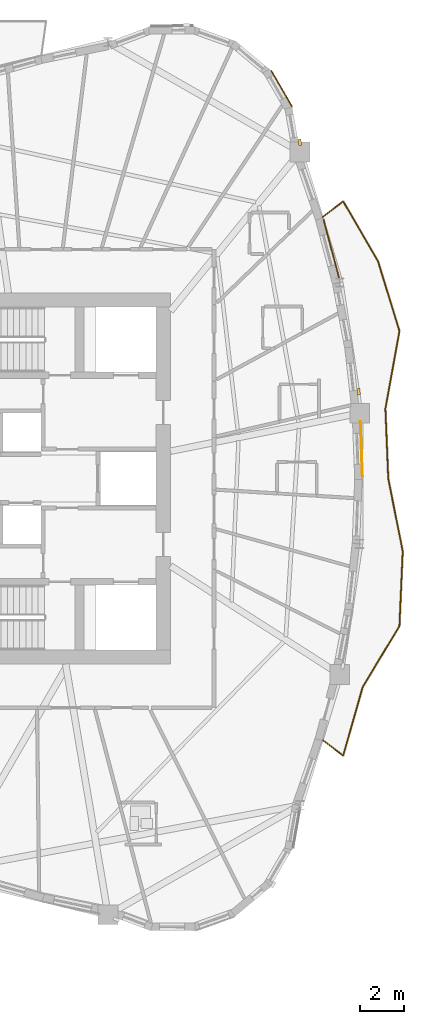
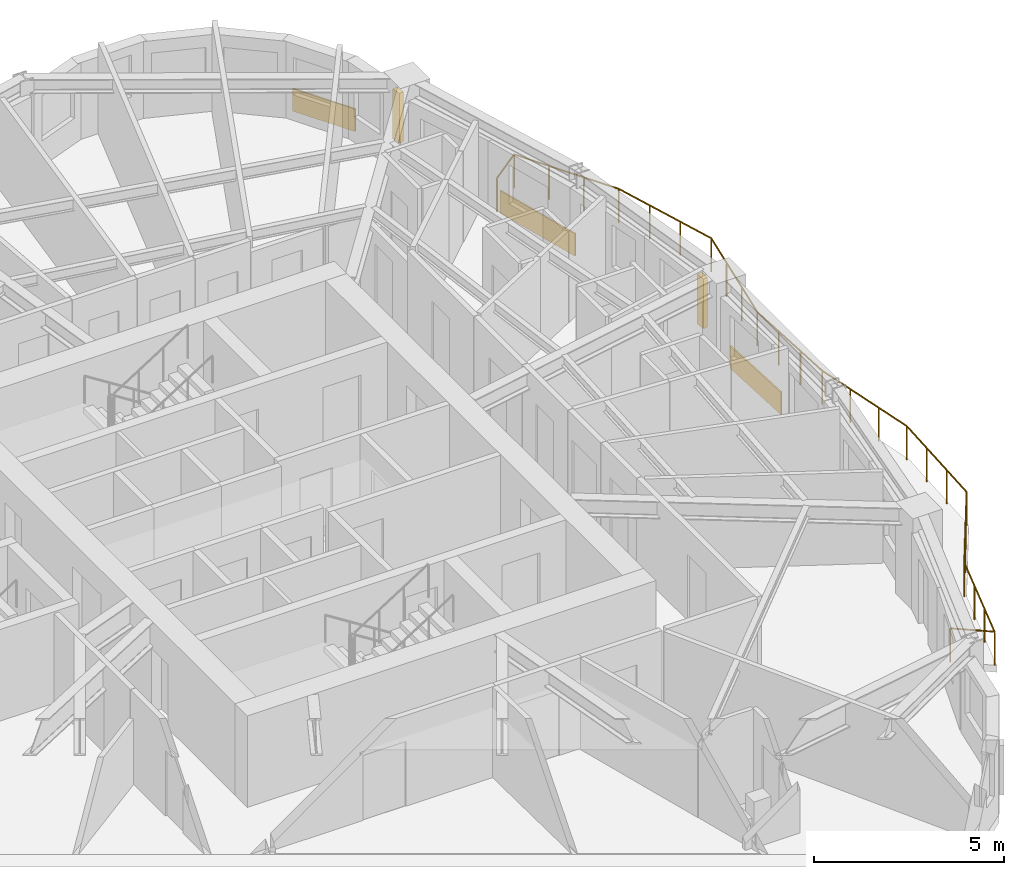
# One storey, part 16 of 17: 3 coverings, 2 shading devices, 1 railing.
"""IFC4 building model written with IfcOpenShell, lengths in metres."""

from ifc_helpers import new_model, si_unit, direction, frame, origin, origin_2d, place, context, subcontext, project, spatial, rectangle, circle, extrude, source, transform, mapped, material, layer, layer_set, type_object, element, save


model = new_model("IFC4")

# Units and contexts
model_context = context("Model", 3, precision=1e-05, world=origin(), true_north=direction((0.0, 1.0)))
body_context = subcontext(model_context, "Body", "Model", "MODEL_VIEW")
ifc_project = project(units=[si_unit("LENGTHUNIT", "METRE"), si_unit("AREAUNIT", "SQUARE_METRE"), si_unit("VOLUMEUNIT", "CUBIC_METRE"), si_unit("PLANEANGLEUNIT", "RADIAN"), si_unit("MASSUNIT", "GRAM", prefix="KILO")], contexts=[model_context])

# Site, building, storey
site_placement = place(None, origin())
site = spatial("IfcSite", under=ifc_project, at=site_placement, CompositionType="ELEMENT")
building_placement = place(site_placement, origin())
building = spatial("IfcBuilding", under=site, at=building_placement, Name="Qafzar Sky-Pleat Residences", CompositionType="ELEMENT")
storey_placement = place(building_placement, frame((0.0, 0.0, 112.0)))
storey = spatial("IfcBuildingStorey", under=building, at=storey_placement, Name="L33", CompositionType="ELEMENT", Elevation=112.0)

# Shading devices
ifc_material_1 = material(Name="Honed Riyadh limestone solar fin", Category="masonry")
ifc_layer_1 = layer(ifc_material_1, 0.139892578125)
ifc_layer_set_1 = layer_set([ifc_layer_1], Name="Honed Riyadh limestone solar fin")
shading_device_type = type_object("IfcShadingDeviceType", Name="SHD-FIN-STONE", PredefinedType="SHUTTER", material=ifc_layer_set_1)
shared_shape_1 = source(origin(), body_context, "Body", "SweptSolid", [
    extrude(rectangle(XDim=0.139892578125, YDim=0.280029296875, at=origin_2d()), origin(), (0.0, 0.0, 1.0), 1.60009765625),
])
for number, where, z_axis, x_axis, name in (
    (1, (45.1171875, 29.951904296875, 0.599853515625), (0.0, 0.0, 1.0), (0.993563207002, 0.113279096445, 0.0), "L33 Limestone Solar Fin 29"),
    (2, (42.439453125, 41.3076171875, 0.599853515625), (0.0, 0.0, 1.0), (0.984675881773, 0.174394403163, 0.0), "L33 Limestone Solar Fin 33"),
):
    element("IfcShadingDevice", number, at=place(storey_placement, frame(where, z_axis=z_axis, x_axis=x_axis)), inside=storey, type_object=shading_device_type, Name=name, PredefinedType="SHUTTER", context=body_context, shape_type="MappedRepresentation", body=[
        mapped(shared_shape_1, transform((0.0, 0.0, 0.0), x_axis=(1.0, 0.0, 0.0), y_axis=(0.0, 1.0, 0.0), z_axis=(0.0, 0.0, 1.0), scale=1.0)),
    ])

# Covering
ifc_material_2 = material(Name="Honed Riyadh Tuwaiq limestone cladding", Category="masonry")
ifc_layer_2 = layer(ifc_material_2, 0.044921875)
ifc_layer_set_2 = layer_set([ifc_layer_2], Name="Honed Riyadh Tuwaiq limestone cladding")
covering_type = type_object("IfcCoveringType", Name="COV-CLAD-STONE", PredefinedType="CLADDING", material=ifc_layer_set_2)
shared_shape_2 = source(origin(), body_context, "Body", "SweptSolid", [
    extrude(rectangle(XDim=1.88916015625, YDim=0.044921875, at=origin_2d()), origin(), (0.0, 0.0, 1.0), 0.719970703125),
])
covering_1_placement = place(storey_placement, frame((41.6083984375, 43.75341796875, 0.02001953125), z_axis=(0.0, 0.0, 1.0), x_axis=(-0.50197689344, 0.864881031387, 0.0)))
element("IfcCovering", 3, at=covering_1_placement, inside=storey, type_object=covering_type, Name="L33 Riyadh Limestone Spandrel Cladding 34", PredefinedType="CLADDING", context=body_context, shape_type="MappedRepresentation", body=[
    mapped(shared_shape_2, transform((0.0, 0.0, 0.0), x_axis=(1.0, 0.0, 0.0), y_axis=(0.0, 1.0, 0.0), z_axis=(0.0, 0.0, 1.0), scale=1.0)),
])

# Railing
ifc_material_3 = material(Name="Laminated glass and bronze steel balustrade", Category="steel")
railing_type = type_object("IfcRailingType", Name="RAIL-BAL-1100", PredefinedType="BALUSTRADE", material=ifc_material_3)
shared_shape_3 = source(origin(), body_context, "Body", "SweptSolid", [
    extrude(circle(Radius=0.02392578125, at=origin_2d()), frame((0.0, 0.0, 1.076171875), z_axis=(0.792577756925, -0.609770857969, 0.0), x_axis=(0.609770857969, 0.792577756925, 0.0)), (0.0, 0.0, 1.0), 1.177978515625),
    extrude(circle(Radius=0.02392578125, at=origin_2d()), frame((0.93359375, -0.71826171875, 1.076171875), z_axis=(0.27403703855, 0.961719138576, 0.0), x_axis=(-0.961719138576, 0.27403703855, 0.0)), (0.0, 0.0, 1.0), 3.252685546875),
    extrude(circle(Radius=0.02392578125, at=origin_2d()), frame((1.824951171875, 2.409912109375, 1.076171875), z_axis=(0.515058919709, 0.857154775538, 0.0), x_axis=(-0.857154775538, 0.515058919709, 0.0)), (0.0, 0.0, 1.0), 3.250732421875),
    extrude(circle(Radius=0.02392578125, at=origin_2d()), frame((3.499267578125, 5.1962890625, 1.076171875), z_axis=(0.043446573451, 0.999055751825, 0.0), x_axis=(-0.999055751825, 0.043446573451, 0.0)), (0.0, 0.0, 1.0), 3.399658203125),
    extrude(circle(Radius=0.02392578125, at=origin_2d()), frame((3.64697265625, 8.5927734375, 1.076171875), z_axis=(-0.194615528867, 0.980879603175, 0.0), x_axis=(-0.980879603175, -0.194615528867, 0.0)), (0.0, 0.0, 1.0), 3.379638671875),
    extrude(circle(Radius=0.02392578125, at=origin_2d()), frame((2.9892578125, 11.90771484375, 1.076171875), z_axis=(-0.041059132366, 0.999156718263, 0.0), x_axis=(-0.999156718263, -0.041059132366, 0.0)), (0.0, 0.0, 1.0), 3.18115234375),
    extrude(circle(Radius=0.02392578125, at=origin_2d()), frame((2.858642578125, 15.086181640625, 1.076171875), z_axis=(0.178418700862, 0.983954657077, 0.0), x_axis=(-0.983954657077, 0.178418700862, 0.0)), (0.0, 0.0, 1.0), 3.590576171875),
    extrude(circle(Radius=0.02392578125, at=origin_2d()), frame((3.499267578125, 18.619140625, 1.076171875), z_axis=(-0.293284134593, 0.956025322048, 0.0), x_axis=(-0.956025322048, -0.293284134593, 0.0)), (0.0, 0.0, 1.0), 3.3173828125),
    extrude(circle(Radius=0.02392578125, at=origin_2d()), frame((2.5263671875, 21.79052734375, 1.076171875), z_axis=(-0.502128090271, 0.864793259086, 0.0), x_axis=(-0.864793259086, -0.502128090271, 0.0)), (0.0, 0.0, 1.0), 3.172119140625),
    extrude(circle(Radius=0.02392578125, at=origin_2d()), frame((0.93359375, 24.53369140625, 1.076171875), z_axis=(-0.792577756925, -0.609770857969, 0.0), x_axis=(0.609770857969, -0.792577756925, 0.0)), (0.0, 0.0, 1.0), 1.177978515625),
    extrude(circle(Radius=0.02099609375, at=origin_2d()), origin(), (0.0, 0.0, 1.0), 1.052001953125),
    extrude(circle(Radius=0.02099609375, at=origin_2d()), frame((0.93359375, -0.71826171875, 0.0)), (0.0, 0.0, 1.0), 1.052001953125),
    extrude(circle(Radius=0.02099609375, at=origin_2d()), frame((1.230712890625, 0.324462890625, 0.0)), (0.0, 0.0, 1.0), 1.052001953125),
    extrude(circle(Radius=0.02099609375, at=origin_2d()), frame((1.52783203125, 1.3671875, 0.0)), (0.0, 0.0, 1.0), 1.052001953125),
    extrude(circle(Radius=0.02099609375, at=origin_2d()), frame((1.824951171875, 2.409912109375, 0.0)), (0.0, 0.0, 1.0), 1.052001953125),
    extrude(circle(Radius=0.02099609375, at=origin_2d()), frame((2.383056640625, 3.338623046875, 0.0)), (0.0, 0.0, 1.0), 1.052001953125),
    extrude(circle(Radius=0.02099609375, at=origin_2d()), frame((2.941162109375, 4.267578125, 0.0)), (0.0, 0.0, 1.0), 1.052001953125),
    extrude(circle(Radius=0.02099609375, at=origin_2d()), frame((3.499267578125, 5.1962890625, 0.0)), (0.0, 0.0, 1.0), 1.052001953125),
    extrude(circle(Radius=0.02099609375, at=origin_2d()), frame((3.548583984375, 6.328369140625, 0.0)), (0.0, 0.0, 1.0), 1.052001953125),
    extrude(circle(Radius=0.02099609375, at=origin_2d()), frame((3.59765625, 7.460693359375, 0.0)), (0.0, 0.0, 1.0), 1.052001953125),
    extrude(circle(Radius=0.02099609375, at=origin_2d()), frame((3.64697265625, 8.5927734375, 0.0)), (0.0, 0.0, 1.0), 1.052001953125),
    extrude(circle(Radius=0.02099609375, at=origin_2d()), frame((3.427734375, 9.69775390625, 0.0)), (0.0, 0.0, 1.0), 1.052001953125),
    extrude(circle(Radius=0.02099609375, at=origin_2d()), frame((3.20849609375, 10.802734375, 0.0)), (0.0, 0.0, 1.0), 1.052001953125),
    extrude(circle(Radius=0.02099609375, at=origin_2d()), frame((2.9892578125, 11.90771484375, 0.0)), (0.0, 0.0, 1.0), 1.052001953125),
    extrude(circle(Radius=0.02099609375, at=origin_2d()), frame((2.94580078125, 12.96728515625, 0.0)), (0.0, 0.0, 1.0), 1.052001953125),
    extrude(circle(Radius=0.02099609375, at=origin_2d()), frame((2.902099609375, 14.026611328125, 0.0)), (0.0, 0.0, 1.0), 1.052001953125),
    extrude(circle(Radius=0.02099609375, at=origin_2d()), frame((2.858642578125, 15.086181640625, 0.0)), (0.0, 0.0, 1.0), 1.052001953125),
    extrude(circle(Radius=0.02099609375, at=origin_2d()), frame((3.072265625, 16.263916015625, 0.0)), (0.0, 0.0, 1.0), 1.052001953125),
    extrude(circle(Radius=0.02099609375, at=origin_2d()), frame((3.28564453125, 17.44140625, 0.0)), (0.0, 0.0, 1.0), 1.052001953125),
    extrude(circle(Radius=0.02099609375, at=origin_2d()), frame((3.499267578125, 18.619140625, 0.0)), (0.0, 0.0, 1.0), 1.052001953125),
    extrude(circle(Radius=0.02099609375, at=origin_2d()), frame((3.175048828125, 19.67626953125, 0.0)), (0.0, 0.0, 1.0), 1.052001953125),
    extrude(circle(Radius=0.02099609375, at=origin_2d()), frame((2.8505859375, 20.7333984375, 0.0)), (0.0, 0.0, 1.0), 1.052001953125),
    extrude(circle(Radius=0.02099609375, at=origin_2d()), frame((2.5263671875, 21.79052734375, 0.0)), (0.0, 0.0, 1.0), 1.052001953125),
    extrude(circle(Radius=0.02099609375, at=origin_2d()), frame((1.995361328125, 22.704833984375, 0.0)), (0.0, 0.0, 1.0), 1.052001953125),
    extrude(circle(Radius=0.02099609375, at=origin_2d()), frame((1.464599609375, 23.619384765625, 0.0)), (0.0, 0.0, 1.0), 1.052001953125),
    extrude(circle(Radius=0.02099609375, at=origin_2d()), frame((0.93359375, 24.53369140625, 0.0)), (0.0, 0.0, 1.0), 1.052001953125),
    extrude(circle(Radius=0.02099609375, at=origin_2d()), frame((0.0, 23.8154296875, 0.0)), (0.0, 0.0, 1.0), 1.052001953125),
])
railing_placement = place(storey_placement, frame((43.47705078125, 14.09228515625, 0.0)))
element("IfcRailing", 4, at=railing_placement, inside=storey, type_object=railing_type, Name="L33 Pleated Balcony 1 Balustrade", PredefinedType="BALUSTRADE", context=body_context, shape_type="MappedRepresentation", body=[
    mapped(shared_shape_3, transform((0.0, 0.0, 0.0), x_axis=(1.0, 0.0, 0.0), y_axis=(0.0, 1.0, 0.0), z_axis=(0.0, 0.0, 1.0), scale=1.0)),
])

# Coverings
shared_shape_4 = source(origin(), body_context, "Body", "SweptSolid", [
    extrude(rectangle(XDim=2.506591796875, YDim=0.044921875, at=origin_2d()), origin(), (0.0, 0.0, 1.0), 0.719970703125),
])
covering_2_placement = place(storey_placement, frame((45.246826171875, 27.3544921875, 0.02001953125), z_axis=(0.0, 0.0, 1.0), x_axis=(-0.037950508704, 0.999279619971, 0.0)))
element("IfcCovering", 5, at=covering_2_placement, inside=storey, type_object=covering_type, Name="L33 Riyadh Limestone Spandrel Cladding 28", PredefinedType="CLADDING", context=body_context, shape_type="MappedRepresentation", body=[
    mapped(shared_shape_4, transform((0.0, 0.0, 0.0), x_axis=(1.0, 0.0, 0.0), y_axis=(0.0, 1.0, 0.0), z_axis=(0.0, 0.0, 1.0), scale=1.0)),
])
shared_shape_5 = source(origin(), body_context, "Body", "SweptSolid", [
    extrude(rectangle(XDim=2.786865234375, YDim=0.044921875, at=origin_2d()), origin(), (0.0, 0.0, 1.0), 0.719970703125),
])
covering_3_placement = place(storey_placement, frame((43.876953125, 36.446533203125, 0.02001953125), z_axis=(0.0, 0.0, 1.0), x_axis=(-0.257089761456, 0.966387528145, 0.0)))
element("IfcCovering", 6, at=covering_3_placement, inside=storey, type_object=covering_type, Name="L33 Riyadh Limestone Spandrel Cladding 31", PredefinedType="CLADDING", context=body_context, shape_type="MappedRepresentation", body=[
    mapped(shared_shape_5, transform((0.0, 0.0, 0.0), x_axis=(1.0, 0.0, 0.0), y_axis=(0.0, 1.0, 0.0), z_axis=(0.0, 0.0, 1.0), scale=1.0)),
])

save(model, "model.ifc")
